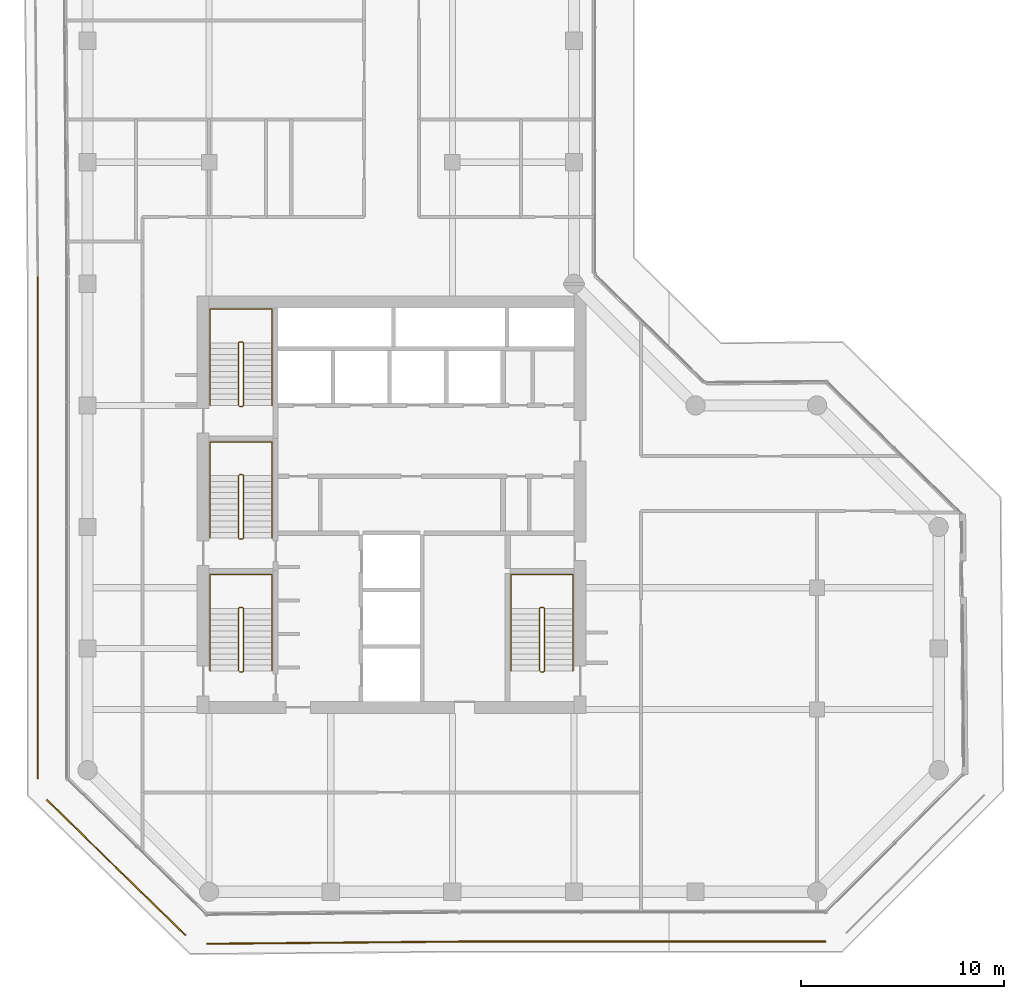
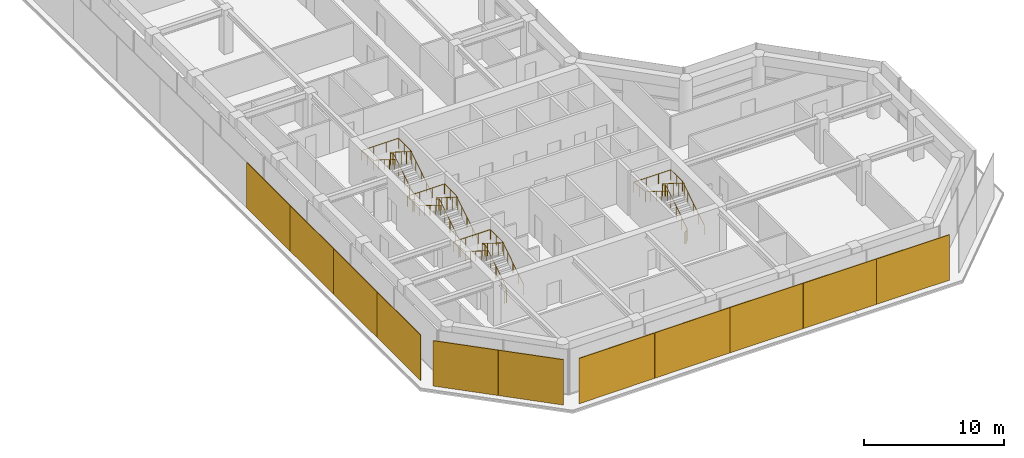
# One storey, part 18 of 19: 11 coverings, 8 railings.
"""IFC4 building model written with IfcOpenShell, lengths in metres."""

import ifcopenshell
import ifcopenshell.guid

model = None  # the IFC model being written
_history = None  # IfcOwnerHistory: only IFC2X3 demands one
_inside = {}  # id of a spatial element -> (the spatial element, [elements in it])
_under = {}  # id of a project, library or spatial element -> (it, [spatial elements below it])
_declared = {}  # id of a project -> (the project, [libraries it declares])
_typed = {}  # id of a type object -> (the type object, [elements of that type])
_made_of = {}  # id of a material, layer set ... -> (it, [elements and type objects made of it])


def new_model(schema):
    """Start an empty IFC model of exactly this schema.

    Asked for "IFC4X3", IfcOpenShell would pick the latest addendum, in which some entities
    have other attributes; the version numbers below select the first issue.
    IFC2X3 requires an IfcOwnerHistory on every rooted entity: one is made here for all.
    """
    global model, _history
    if schema == "IFC4X3":
        model = ifcopenshell.file(schema_version=(4, 3, 0, 0))
    else:
        model = ifcopenshell.file(schema=schema)
    _inside.clear()
    _under.clear()
    _declared.clear()
    _typed.clear()
    _made_of.clear()
    _history = None
    if model.schema == "IFC2X3":
        org = make("IfcOrganization", Name="unknown")
        user = make(
            "IfcPersonAndOrganization",
            ThePerson=make("IfcPerson", FamilyName="unknown"),
            TheOrganization=org,
        )
        app = make(
            "IfcApplication",
            ApplicationDeveloper=org,
            Version="unknown",
            ApplicationFullName="unknown",
            ApplicationIdentifier="unknown",
        )
        _history = make(
            "IfcOwnerHistory",
            OwningUser=user,
            OwningApplication=app,
            ChangeAction="ADDED",
            CreationDate=0,
        )
    return model


def make(cls, **values):
    """One entity of the class cls with the attributes given. An attribute that is None is left unset."""
    return model.create_entity(
        cls, **{name: value for name, value in values.items() if value is not None}
    )


def rooted(cls, **values):
    """An entity with a GlobalId (a new one), such as an element, a storey or a relation."""
    return make(cls, GlobalId=ifcopenshell.guid.new(), OwnerHistory=_history, **values)


def si_unit(unit_type, name, prefix=None):
    """IfcSIUnit, for example si_unit("LENGTHUNIT", "METRE", prefix="MILLI")."""
    return make("IfcSIUnit", UnitType=unit_type, Prefix=prefix, Name=name)


def assignment(units):
    """IfcUnitAssignment: the units of a project."""
    return None if units is None else make("IfcUnitAssignment", Units=units)


def point(xyz):
    """IfcCartesianPoint."""
    return None if xyz is None else make("IfcCartesianPoint", Coordinates=xyz)


def direction(xyz):
    """IfcDirection."""
    return None if xyz is None else make("IfcDirection", DirectionRatios=xyz)


def frame(location, z_axis=None, x_axis=None):
    """IfcAxis2Placement3D, a coordinate frame: its origin and axes. An axis left out is left unset."""
    return make(
        "IfcAxis2Placement3D",
        Location=point(location),
        Axis=direction(z_axis),
        RefDirection=direction(x_axis),
    )


def frame_2d(location, x_axis=None):
    """IfcAxis2Placement2D, a coordinate frame in the plane: its origin and x axis."""
    return make(
        "IfcAxis2Placement2D", Location=point(location), RefDirection=direction(x_axis)
    )


def origin():
    """The frame at (0, 0, 0) with its axes left unset."""
    return frame((0.0, 0.0, 0.0))


def origin_2d():
    """The frame at (0, 0) in the plane with its x axis left unset."""
    return frame_2d((0.0, 0.0))


def place(relative_to, where):
    """IfcLocalPlacement: puts the frame where relative to a parent placement (None: the world)."""
    return make(
        "IfcLocalPlacement", PlacementRelTo=relative_to, RelativePlacement=where
    )


def context(
    kind, dimensions, precision=None, world=None, true_north=None, identifier=None
):
    """IfcGeometricRepresentationContext, for example the 3D "Model" context."""
    return make(
        "IfcGeometricRepresentationContext",
        ContextIdentifier=identifier,
        ContextType=kind,
        CoordinateSpaceDimension=dimensions,
        Precision=precision,
        WorldCoordinateSystem=world,
        TrueNorth=true_north,
    )


def subcontext(parent, identifier, kind, view, scale=None):
    """IfcGeometricRepresentationSubContext, for example "Body" below "Model"."""
    return make(
        "IfcGeometricRepresentationSubContext",
        ContextIdentifier=identifier,
        ContextType=kind,
        ParentContext=parent,
        TargetScale=scale,
        TargetView=view,
    )


def project(units=None, contexts=None):
    """IfcProject with its units and contexts."""
    return rooted(
        "IfcProject",
        Name="project",
        RepresentationContexts=contexts,
        UnitsInContext=assignment(units),
    )


def spatial(cls, under=None, at=None, **own):
    """A site, building, storey or space (cls), placed at a placement, below another one or the project."""
    s = rooted(cls, ObjectPlacement=at, **own)
    if under is not None:
        _under.setdefault(under.id(), (under, []))[1].append(s)
    return s


def profile(cls, at=None, kind="AREA", **sizes):
    """A parametric profile (cls). Its sizes go by their IFC names, for example OverallWidth=200.0."""
    return make(cls, ProfileType=kind, Position=at, **sizes)


def rectangle(**sizes):
    """IfcRectangleProfileDef."""
    return profile("IfcRectangleProfileDef", **sizes)


def circle(**sizes):
    """IfcCircleProfileDef."""
    return profile("IfcCircleProfileDef", **sizes)


def extrude(swept, where, along, depth):
    """IfcExtrudedAreaSolid: the profile swept, set in the frame where, extruded along a direction by depth."""
    return make(
        "IfcExtrudedAreaSolid",
        SweptArea=swept,
        Position=where,
        ExtrudedDirection=direction(along),
        Depth=depth,
    )


def shape(context_of_items, identifier, shape_type, items):
    """IfcShapeRepresentation: the items that make up one representation, for example the "Body"."""
    return make(
        "IfcShapeRepresentation",
        ContextOfItems=context_of_items,
        RepresentationIdentifier=identifier,
        RepresentationType=shape_type,
        Items=items,
    )


def material(Name=None, Category=None):
    """IfcMaterial."""
    return make("IfcMaterial", Name=Name, Category=Category)


def layer(
    of_material, thickness, ventilated=None, Name=None, Category=None, Priority=None
):
    """IfcMaterialLayer: one layer of a wall or slab, of a material (None: an air gap)."""
    return make(
        "IfcMaterialLayer",
        Material=of_material,
        LayerThickness=thickness,
        IsVentilated=ventilated,
        Name=Name,
        Category=Category,
        Priority=Priority,
    )


def layer_set(layers, Name=None):
    """IfcMaterialLayerSet."""
    return make("IfcMaterialLayerSet", MaterialLayers=layers, LayerSetName=Name)


def made_of(thing, what):
    """Note that an element or type object is made of a material, layer set ...; save() writes the relation."""
    if what is not None:
        _made_of.setdefault(what.id(), (what, []))[1].append(thing)
    return thing


def type_object(cls, material=None, **own):
    """A type object (cls), such as IfcWallType, which elements share."""
    return made_of(rooted(cls, **own), material)


def element(
    cls,
    number,
    at=None,
    inside=None,
    cuts=None,
    type_object=None,
    material=None,
    context=None,
    identifier="Body",
    shape_type=None,
    held_by="IfcProductDefinitionShape",
    body=None,
    shapes=None,
    **own,
):
    """One element of the class cls, such as IfcWall. Its Tag is "e" and its number.

    at: its placement. inside: the storey or other place that contains it. cuts: it is an
    opening in that element (IfcRelVoidsElement). A single representation is given by context,
    identifier, shape_type and body (its items); several are given by shapes. held_by: the class
    of the entity that holds the representations. save() writes the other relations.
    """
    e = rooted(cls, Tag="e%d" % number, ObjectPlacement=at, **own)
    if body is not None:
        shapes = [shape(context, identifier, shape_type, body)]
    if shapes is not None:
        e.Representation = make(held_by, Representations=shapes)
    if inside is not None:
        _inside.setdefault(inside.id(), (inside, []))[1].append(e)
    if cuts is not None:
        rooted(
            "IfcRelVoidsElement", RelatingBuildingElement=cuts, RelatedOpeningElement=e
        )
    if type_object is not None:
        _typed.setdefault(type_object.id(), (type_object, []))[1].append(e)
    return made_of(e, material)


def aggregate(whole, parts):
    """IfcRelAggregates: a whole, such as a stair, and the parts it consists of."""
    return rooted("IfcRelAggregates", RelatingObject=whole, RelatedObjects=parts)


def save(model, path):
    """Write the relations noted so far, then the file.

    IfcRelAggregates (storeys below a building ...), IfcRelContainedInSpatialStructure (elements
    in a storey), IfcRelDefinesByType, IfcRelAssociatesMaterial and IfcRelDeclares: one each for
    every whole, place, type object, material and project.
    """
    for whole, parts in _under.values():
        aggregate(whole, parts)
    for where, things in _inside.values():
        rooted(
            "IfcRelContainedInSpatialStructure",
            RelatedElements=things,
            RelatingStructure=where,
        )
    for kind, things in _typed.values():
        rooted("IfcRelDefinesByType", RelatedObjects=things, RelatingType=kind)
    for what, things in _made_of.values():
        rooted("IfcRelAssociatesMaterial", RelatedObjects=things, RelatingMaterial=what)
    for by, libraries in _declared.values():
        rooted("IfcRelDeclares", RelatingContext=by, RelatedDefinitions=libraries)
    model.write(path)


model = new_model("IFC4")

# Units and contexts
model_context = context("Model", 3, precision=1e-05, world=origin(), true_north=direction((0.0, 1.0)))
body_context = subcontext(model_context, "Body", "Model", "MODEL_VIEW")
ifc_project = project(units=[si_unit("LENGTHUNIT", "METRE"), si_unit("AREAUNIT", "SQUARE_METRE"), si_unit("VOLUMEUNIT", "CUBIC_METRE"), si_unit("PLANEANGLEUNIT", "RADIAN"), si_unit("MASSUNIT", "GRAM", prefix="KILO")], contexts=[model_context])

# Site, building, storey
site_placement = place(None, origin())
site = spatial("IfcSite", under=ifc_project, at=site_placement, CompositionType="ELEMENT")
building_placement = place(site_placement, origin())
building = spatial("IfcBuilding", under=site, at=building_placement, Name="Welwitschia Terrace Campus", CompositionType="ELEMENT")
storey_placement = place(building_placement, frame((0.0, 0.0, 171.800048828125)))
storey = spatial("IfcBuildingStorey", under=building, at=storey_placement, Name="L38", CompositionType="ELEMENT", Elevation=171.800048828125)

# Coverings
ifc_material_1 = material(Name="Bronze mesh aluminium screen", Category="aluminium")
ifc_layer = layer(ifc_material_1, 0.06005859375)
ifc_layer_set = layer_set([ifc_layer], Name="Bronze mesh aluminium screen")
covering_type = type_object("IfcCoveringType", Name="Bronze screen 60", PredefinedType="USERDEFINED", material=ifc_layer_set)
for number, where, z_axis, x_axis, name in (
    (1, (-2.4599609375, 23.26611328125, 0.0), (0.0, 0.0, 1.0), (0.0, -1.0, 0.0), "Screen L38.1.0"),
    (2, (-2.4599609375, 17.068115234375, 0.0), (0.0, 0.0, 1.0), (0.0, -1.0, 0.0), "Screen L38.1.1"),
    (3, (-2.4599609375, 10.8701171875, 0.0), (0.0, 0.0, 1.0), (0.0, -1.0, 0.0), "Screen L38.1.2"),
    (4, (-2.4599609375, 4.672119140625, 0.0), (0.0, 0.0, 1.0), (0.0, -1.0, 0.0), "Screen L38.1.3"),
):
    element("IfcCovering", number, at=place(storey_placement, frame(where, z_axis=z_axis, x_axis=x_axis)), inside=storey, type_object=covering_type, Name=name, ObjectType="SCREEN", PredefinedType="USERDEFINED", context=body_context, shape_type="SweptSolid", body=[
        extrude(rectangle(XDim=6.177978515625, YDim=0.06005859375, at=origin_2d()), origin(), (0.0, 0.0, 1.0), 3.949951171875),
    ])
for number, where, z_axis, x_axis, name in (
    (5, (-0.30908203125, -1.12841796875, 0.0), (0.0, 0.0, 1.0), (0.715708164963, -0.698399472083, 0.0), "Screen L38.2.0"),
    (6, (3.130126953125, -4.484619140625, 0.0), (0.0, 0.0, 1.0), (0.715708164963, -0.698399472083, 0.0), "Screen L38.2.1"),
):
    element("IfcCovering", number, at=place(storey_placement, frame(where, z_axis=z_axis, x_axis=x_axis)), inside=storey, type_object=covering_type, Name=name, ObjectType="SCREEN", PredefinedType="USERDEFINED", context=body_context, shape_type="SweptSolid", body=[
        extrude(rectangle(XDim=4.785400390625, YDim=0.06005859375, at=origin_2d()), origin(), (0.0, 0.0, 1.0), 3.949951171875),
    ])
for number, where, z_axis, x_axis, name in (
    (7, (8.98681640625, -6.541748046875, 0.0), (0.0, 0.0, 1.0), (0.999961923064, 0.008726535498, 0.0), "Screen L38.3.0"),
    (8, (15.23828125, -6.4873046875, 0.0), (0.0, 0.0, 1.0), (0.999961923064, 0.008726535498, 0.0), "Screen L38.3.1"),
):
    element("IfcCovering", number, at=place(storey_placement, frame(where, z_axis=z_axis, x_axis=x_axis)), inside=storey, type_object=covering_type, Name=name, ObjectType="SCREEN", PredefinedType="USERDEFINED", context=body_context, shape_type="SweptSolid", body=[
        extrude(rectangle(XDim=6.231689453125, YDim=0.06005859375, at=origin_2d()), origin(), (0.0, 0.0, 1.0), 3.949951171875),
    ])
for number, where, z_axis, x_axis, name in (
    (9, (21.364013671875, -6.4599609375, 0.0), (0.0, 0.0, 1.0), (1.0, 0.0, 0.0), "Screen L38.4.0"),
    (10, (27.388916015625, -6.4599609375, 0.0), (0.0, 0.0, 1.0), (1.0, 0.0, 0.0), "Screen L38.4.1"),
    (11, (33.4140625, -6.4599609375, 0.0), (0.0, 0.0, 1.0), (1.0, 0.0, 0.0), "Screen L38.4.2"),
):
    element("IfcCovering", number, at=place(storey_placement, frame(where, z_axis=z_axis, x_axis=x_axis)), inside=storey, type_object=covering_type, Name=name, ObjectType="SCREEN", PredefinedType="USERDEFINED", context=body_context, shape_type="SweptSolid", body=[
        extrude(rectangle(XDim=6.005126953125, YDim=0.06005859375, at=origin_2d()), origin(), (0.0, 0.0, 1.0), 3.949951171875),
    ])

# Railings
ifc_material_2 = material(Name="Steel S355", Category="steel")
railing_type_1 = type_object("IfcRailingType", Name="Stair guard 1100", PredefinedType="GUARDRAIL", material=ifc_material_2)
railing_1_placement = place(storey_placement, frame((7.5, 6.85009765625, 0.0)))
element("IfcRailing", 12, at=railing_1_placement, inside=storey, type_object=railing_type_1, Name="L38 S1 stair guard", PredefinedType="GUARDRAIL", context=body_context, shape_type="SweptSolid", body=[
    extrude(circle(Radius=0.02392578125, at=origin_2d()), frame((0.0, 0.0, 1.076171875), z_axis=(1.0, 0.0, 0.0), x_axis=(0.0, 1.0, 0.0)), (0.0, 0.0, 1.0), 0.14990234375),
    extrude(circle(Radius=0.02392578125, at=origin_2d()), frame((0.14990234375, 0.0, 1.076171875), z_axis=(0.265155923931, 0.263862480399, 0.927399011991), x_axis=(-0.705375805398, 0.708833529934, 0.0)), (0.0, 0.0, 1.0), 0.188720703125),
    extrude(circle(Radius=0.02392578125, at=origin_2d()), frame((0.199951171875, 0.0498046875, 1.2509765625), z_axis=(0.0, 0.848028513186, 0.529950602248), x_axis=(-1.0, 0.0, 0.0)), (0.0, 0.0, 1.0), 3.632080078125),
    extrude(circle(Radius=0.02392578125, at=origin_2d()), frame((0.199951171875, 3.1298828125, 3.17578125), z_axis=(-0.707106781187, 0.707106781187, 0.0), x_axis=(-0.707106781187, -0.707106781187, 0.0)), (0.0, 0.0, 1.0), 0.07080078125),
    extrude(circle(Radius=0.02392578125, at=origin_2d()), frame((0.14990234375, 3.179931640625, 3.17578125), z_axis=(-1.0, 0.0, 0.0), x_axis=(0.0, -1.0, 0.0)), (0.0, 0.0, 1.0), 0.14990234375),
    extrude(circle(Radius=0.02392578125, at=origin_2d()), frame((0.0, 3.179931640625, 3.17578125), z_axis=(-0.265065253269, -0.265065253269, 0.927081885822), x_axis=(0.707106781187, -0.707106781187, 0.0)), (0.0, 0.0, 1.0), 0.188720703125),
    extrude(circle(Radius=0.02392578125, at=origin_2d()), frame((-0.050048828125, 3.1298828125, 3.35107421875), z_axis=(0.0, -0.847998304005, 0.529998940003), x_axis=(1.0, 0.0, 0.0)), (0.0, 0.0, 1.0), 3.632080078125),
    extrude(circle(Radius=0.02099609375, at=origin_2d()), origin(), (0.0, 0.0, 1.0), 1.052001953125),
    extrude(circle(Radius=0.02099609375, at=origin_2d()), frame((0.14990234375, 0.0, 0.0)), (0.0, 0.0, 1.0), 1.052001953125),
    extrude(circle(Radius=0.02099609375, at=origin_2d()), frame((0.199951171875, 0.0498046875, 0.175048828125)), (0.0, 0.0, 1.0), 1.052001953125),
    extrude(circle(Radius=0.02099609375, at=origin_2d()), frame((0.199951171875, 0.81982421875, 0.65625)), (0.0, 0.0, 1.0), 1.052001953125),
    extrude(circle(Radius=0.02099609375, at=origin_2d()), frame((0.199951171875, 1.58984375, 1.137451171875)), (0.0, 0.0, 1.0), 1.052001953125),
    extrude(circle(Radius=0.02099609375, at=origin_2d()), frame((0.199951171875, 2.35986328125, 1.61865234375)), (0.0, 0.0, 1.0), 1.052001953125),
    extrude(circle(Radius=0.02099609375, at=origin_2d()), frame((0.199951171875, 3.1298828125, 2.099853515625)), (0.0, 0.0, 1.0), 1.052001953125),
    extrude(circle(Radius=0.02099609375, at=origin_2d()), frame((0.14990234375, 3.179931640625, 2.099853515625)), (0.0, 0.0, 1.0), 1.052001953125),
    extrude(circle(Radius=0.02099609375, at=origin_2d()), frame((0.0, 3.179931640625, 2.099853515625)), (0.0, 0.0, 1.0), 1.052001953125),
    extrude(circle(Radius=0.02099609375, at=origin_2d()), frame((-0.050048828125, 3.1298828125, 2.27490234375)), (0.0, 0.0, 1.0), 1.052001953125),
    extrude(circle(Radius=0.02099609375, at=origin_2d()), frame((-0.050048828125, 2.35986328125, 2.756103515625)), (0.0, 0.0, 1.0), 1.052001953125),
    extrude(circle(Radius=0.02099609375, at=origin_2d()), frame((-0.050048828125, 1.58984375, 3.2373046875)), (0.0, 0.0, 1.0), 1.052001953125),
    extrude(circle(Radius=0.02099609375, at=origin_2d()), frame((-0.050048828125, 0.81982421875, 3.71875)), (0.0, 0.0, 1.0), 1.052001953125),
    extrude(circle(Radius=0.02099609375, at=origin_2d()), frame((-0.050048828125, 0.0498046875, 4.199951171875)), (0.0, 0.0, 1.0), 1.052001953125),
])
railing_2_placement = place(storey_placement, frame((7.5, 13.39990234375, 0.0)))
element("IfcRailing", 13, at=railing_2_placement, inside=storey, type_object=railing_type_1, Name="L38 S3 stair guard", PredefinedType="GUARDRAIL", context=body_context, shape_type="SweptSolid", body=[
    extrude(circle(Radius=0.02392578125, at=origin_2d()), frame((0.0, 0.0, 1.076171875), z_axis=(1.0, 0.0, 0.0), x_axis=(0.0, 1.0, 0.0)), (0.0, 0.0, 1.0), 0.14990234375),
    extrude(circle(Radius=0.02392578125, at=origin_2d()), frame((0.14990234375, 0.0, 1.076171875), z_axis=(0.265065253269, 0.265065253269, 0.927081885822), x_axis=(-0.707106781187, 0.707106781187, 0.0)), (0.0, 0.0, 1.0), 0.188720703125),
    extrude(circle(Radius=0.02392578125, at=origin_2d()), frame((0.199951171875, 0.050048828125, 1.2509765625), z_axis=(0.0, 0.848028513186, 0.529950602248), x_axis=(-1.0, 0.0, 0.0)), (0.0, 0.0, 1.0), 3.632080078125),
    extrude(circle(Radius=0.02392578125, at=origin_2d()), frame((0.199951171875, 3.130126953125, 3.17578125), z_axis=(-0.707106781187, 0.707106781187, 0.0), x_axis=(-0.707106781187, -0.707106781187, 0.0)), (0.0, 0.0, 1.0), 0.07080078125),
    extrude(circle(Radius=0.02392578125, at=origin_2d()), frame((0.14990234375, 3.18017578125, 3.17578125), z_axis=(-1.0, 0.0, 0.0), x_axis=(0.0, -1.0, 0.0)), (0.0, 0.0, 1.0), 0.14990234375),
    extrude(circle(Radius=0.02392578125, at=origin_2d()), frame((0.0, 3.18017578125, 3.17578125), z_axis=(-0.265065253269, -0.265065253269, 0.927081885822), x_axis=(0.707106781187, -0.707106781187, 0.0)), (0.0, 0.0, 1.0), 0.188720703125),
    extrude(circle(Radius=0.02392578125, at=origin_2d()), frame((-0.050048828125, 3.130126953125, 3.35107421875), z_axis=(0.0, -0.847998304005, 0.529998940003), x_axis=(1.0, 0.0, 0.0)), (0.0, 0.0, 1.0), 3.632080078125),
    extrude(circle(Radius=0.02099609375, at=origin_2d()), origin(), (0.0, 0.0, 1.0), 1.052001953125),
    extrude(circle(Radius=0.02099609375, at=origin_2d()), frame((0.14990234375, 0.0, 0.0)), (0.0, 0.0, 1.0), 1.052001953125),
    extrude(circle(Radius=0.02099609375, at=origin_2d()), frame((0.199951171875, 0.050048828125, 0.175048828125)), (0.0, 0.0, 1.0), 1.052001953125),
    extrude(circle(Radius=0.02099609375, at=origin_2d()), frame((0.199951171875, 0.820068359375, 0.65625)), (0.0, 0.0, 1.0), 1.052001953125),
    extrude(circle(Radius=0.02099609375, at=origin_2d()), frame((0.199951171875, 1.590087890625, 1.137451171875)), (0.0, 0.0, 1.0), 1.052001953125),
    extrude(circle(Radius=0.02099609375, at=origin_2d()), frame((0.199951171875, 2.360107421875, 1.61865234375)), (0.0, 0.0, 1.0), 1.052001953125),
    extrude(circle(Radius=0.02099609375, at=origin_2d()), frame((0.199951171875, 3.130126953125, 2.099853515625)), (0.0, 0.0, 1.0), 1.052001953125),
    extrude(circle(Radius=0.02099609375, at=origin_2d()), frame((0.14990234375, 3.18017578125, 2.099853515625)), (0.0, 0.0, 1.0), 1.052001953125),
    extrude(circle(Radius=0.02099609375, at=origin_2d()), frame((0.0, 3.18017578125, 2.099853515625)), (0.0, 0.0, 1.0), 1.052001953125),
    extrude(circle(Radius=0.02099609375, at=origin_2d()), frame((-0.050048828125, 3.130126953125, 2.27490234375)), (0.0, 0.0, 1.0), 1.052001953125),
    extrude(circle(Radius=0.02099609375, at=origin_2d()), frame((-0.050048828125, 2.360107421875, 2.756103515625)), (0.0, 0.0, 1.0), 1.052001953125),
    extrude(circle(Radius=0.02099609375, at=origin_2d()), frame((-0.050048828125, 1.590087890625, 3.2373046875)), (0.0, 0.0, 1.0), 1.052001953125),
    extrude(circle(Radius=0.02099609375, at=origin_2d()), frame((-0.050048828125, 0.820068359375, 3.71875)), (0.0, 0.0, 1.0), 1.052001953125),
    extrude(circle(Radius=0.02099609375, at=origin_2d()), frame((-0.050048828125, 0.050048828125, 4.199951171875)), (0.0, 0.0, 1.0), 1.052001953125),
])
railing_3_placement = place(storey_placement, frame((7.5, 19.949951171875, 0.0)))
element("IfcRailing", 14, at=railing_3_placement, inside=storey, type_object=railing_type_1, Name="L38 S4 stair guard", PredefinedType="GUARDRAIL", context=body_context, shape_type="SweptSolid", body=[
    extrude(circle(Radius=0.02392578125, at=origin_2d()), frame((0.0, 0.0, 1.076171875), z_axis=(1.0, 0.0, 0.0), x_axis=(0.0, 1.0, 0.0)), (0.0, 0.0, 1.0), 0.14990234375),
    extrude(circle(Radius=0.02392578125, at=origin_2d()), frame((0.14990234375, 0.0, 1.076171875), z_axis=(0.265065253269, 0.265065253269, 0.927081885822), x_axis=(-0.707106781187, 0.707106781187, 0.0)), (0.0, 0.0, 1.0), 0.188720703125),
    extrude(circle(Radius=0.02392578125, at=origin_2d()), frame((0.199951171875, 0.050048828125, 1.2509765625), z_axis=(0.0, 0.848028513186, 0.529950602248), x_axis=(-1.0, 0.0, 0.0)), (0.0, 0.0, 1.0), 3.632080078125),
    extrude(circle(Radius=0.02392578125, at=origin_2d()), frame((0.199951171875, 3.130126953125, 3.17578125), z_axis=(-0.708833529934, 0.705375805398, 0.0), x_axis=(-0.705375805398, -0.708833529934, 0.0)), (0.0, 0.0, 1.0), 0.070556640625),
    extrude(circle(Radius=0.02392578125, at=origin_2d()), frame((0.14990234375, 3.179931640625, 3.17578125), z_axis=(-1.0, 0.0, 0.0), x_axis=(0.0, -1.0, 0.0)), (0.0, 0.0, 1.0), 0.14990234375),
    extrude(circle(Radius=0.02392578125, at=origin_2d()), frame((0.0, 3.179931640625, 3.17578125), z_axis=(-0.265155923931, -0.263862480399, 0.927399011991), x_axis=(0.705375805398, -0.708833529934, 0.0)), (0.0, 0.0, 1.0), 0.188720703125),
    extrude(circle(Radius=0.02392578125, at=origin_2d()), frame((-0.050048828125, 3.130126953125, 3.35107421875), z_axis=(0.0, -0.847998304005, 0.529998940003), x_axis=(1.0, 0.0, 0.0)), (0.0, 0.0, 1.0), 3.632080078125),
    extrude(circle(Radius=0.02099609375, at=origin_2d()), origin(), (0.0, 0.0, 1.0), 1.052001953125),
    extrude(circle(Radius=0.02099609375, at=origin_2d()), frame((0.14990234375, 0.0, 0.0)), (0.0, 0.0, 1.0), 1.052001953125),
    extrude(circle(Radius=0.02099609375, at=origin_2d()), frame((0.199951171875, 0.050048828125, 0.175048828125)), (0.0, 0.0, 1.0), 1.052001953125),
    extrude(circle(Radius=0.02099609375, at=origin_2d()), frame((0.199951171875, 0.820068359375, 0.65625)), (0.0, 0.0, 1.0), 1.052001953125),
    extrude(circle(Radius=0.02099609375, at=origin_2d()), frame((0.199951171875, 1.590087890625, 1.137451171875)), (0.0, 0.0, 1.0), 1.052001953125),
    extrude(circle(Radius=0.02099609375, at=origin_2d()), frame((0.199951171875, 2.360107421875, 1.61865234375)), (0.0, 0.0, 1.0), 1.052001953125),
    extrude(circle(Radius=0.02099609375, at=origin_2d()), frame((0.199951171875, 3.130126953125, 2.099853515625)), (0.0, 0.0, 1.0), 1.052001953125),
    extrude(circle(Radius=0.02099609375, at=origin_2d()), frame((0.14990234375, 3.179931640625, 2.099853515625)), (0.0, 0.0, 1.0), 1.052001953125),
    extrude(circle(Radius=0.02099609375, at=origin_2d()), frame((0.0, 3.179931640625, 2.099853515625)), (0.0, 0.0, 1.0), 1.052001953125),
    extrude(circle(Radius=0.02099609375, at=origin_2d()), frame((-0.050048828125, 3.130126953125, 2.27490234375)), (0.0, 0.0, 1.0), 1.052001953125),
    extrude(circle(Radius=0.02099609375, at=origin_2d()), frame((-0.050048828125, 2.360107421875, 2.756103515625)), (0.0, 0.0, 1.0), 1.052001953125),
    extrude(circle(Radius=0.02099609375, at=origin_2d()), frame((-0.050048828125, 1.590087890625, 3.2373046875)), (0.0, 0.0, 1.0), 1.052001953125),
    extrude(circle(Radius=0.02099609375, at=origin_2d()), frame((-0.050048828125, 0.820068359375, 3.71875)), (0.0, 0.0, 1.0), 1.052001953125),
    extrude(circle(Radius=0.02099609375, at=origin_2d()), frame((-0.050048828125, 0.050048828125, 4.199951171875)), (0.0, 0.0, 1.0), 1.052001953125),
])
railing_4_placement = place(storey_placement, frame((22.35009765625, 6.85009765625, 0.0)))
element("IfcRailing", 15, at=railing_4_placement, inside=storey, type_object=railing_type_1, Name="L38 S2 stair guard", PredefinedType="GUARDRAIL", context=body_context, shape_type="SweptSolid", body=[
    extrude(circle(Radius=0.02392578125, at=origin_2d()), frame((0.0, 0.0, 1.076171875), z_axis=(1.0, 0.0, 0.0), x_axis=(0.0, 1.0, 0.0)), (0.0, 0.0, 1.0), 0.14990234375),
    extrude(circle(Radius=0.02392578125, at=origin_2d()), frame((0.14990234375, 0.0, 1.076171875), z_axis=(0.265155923931, 0.263862480399, 0.927399011991), x_axis=(-0.705375805398, 0.708833529934, 0.0)), (0.0, 0.0, 1.0), 0.188720703125),
    extrude(circle(Radius=0.02392578125, at=origin_2d()), frame((0.199951171875, 0.0498046875, 1.2509765625), z_axis=(0.0, 0.848028513186, 0.529950602248), x_axis=(-1.0, 0.0, 0.0)), (0.0, 0.0, 1.0), 3.632080078125),
    extrude(circle(Radius=0.02392578125, at=origin_2d()), frame((0.199951171875, 3.1298828125, 3.17578125), z_axis=(-0.707106781187, 0.707106781187, 0.0), x_axis=(-0.707106781187, -0.707106781187, 0.0)), (0.0, 0.0, 1.0), 0.07080078125),
    extrude(circle(Radius=0.02392578125, at=origin_2d()), frame((0.14990234375, 3.179931640625, 3.17578125), z_axis=(-1.0, 0.0, 0.0), x_axis=(0.0, -1.0, 0.0)), (0.0, 0.0, 1.0), 0.14990234375),
    extrude(circle(Radius=0.02392578125, at=origin_2d()), frame((0.0, 3.179931640625, 3.17578125), z_axis=(-0.265065253269, -0.265065253269, 0.927081885822), x_axis=(0.707106781187, -0.707106781187, 0.0)), (0.0, 0.0, 1.0), 0.188720703125),
    extrude(circle(Radius=0.02392578125, at=origin_2d()), frame((-0.050048828125, 3.1298828125, 3.35107421875), z_axis=(0.0, -0.847998304005, 0.529998940003), x_axis=(1.0, 0.0, 0.0)), (0.0, 0.0, 1.0), 3.632080078125),
    extrude(circle(Radius=0.02099609375, at=origin_2d()), origin(), (0.0, 0.0, 1.0), 1.052001953125),
    extrude(circle(Radius=0.02099609375, at=origin_2d()), frame((0.14990234375, 0.0, 0.0)), (0.0, 0.0, 1.0), 1.052001953125),
    extrude(circle(Radius=0.02099609375, at=origin_2d()), frame((0.199951171875, 0.0498046875, 0.175048828125)), (0.0, 0.0, 1.0), 1.052001953125),
    extrude(circle(Radius=0.02099609375, at=origin_2d()), frame((0.199951171875, 0.81982421875, 0.65625)), (0.0, 0.0, 1.0), 1.052001953125),
    extrude(circle(Radius=0.02099609375, at=origin_2d()), frame((0.199951171875, 1.58984375, 1.137451171875)), (0.0, 0.0, 1.0), 1.052001953125),
    extrude(circle(Radius=0.02099609375, at=origin_2d()), frame((0.199951171875, 2.35986328125, 1.61865234375)), (0.0, 0.0, 1.0), 1.052001953125),
    extrude(circle(Radius=0.02099609375, at=origin_2d()), frame((0.199951171875, 3.1298828125, 2.099853515625)), (0.0, 0.0, 1.0), 1.052001953125),
    extrude(circle(Radius=0.02099609375, at=origin_2d()), frame((0.14990234375, 3.179931640625, 2.099853515625)), (0.0, 0.0, 1.0), 1.052001953125),
    extrude(circle(Radius=0.02099609375, at=origin_2d()), frame((0.0, 3.179931640625, 2.099853515625)), (0.0, 0.0, 1.0), 1.052001953125),
    extrude(circle(Radius=0.02099609375, at=origin_2d()), frame((-0.050048828125, 3.1298828125, 2.27490234375)), (0.0, 0.0, 1.0), 1.052001953125),
    extrude(circle(Radius=0.02099609375, at=origin_2d()), frame((-0.050048828125, 2.35986328125, 2.756103515625)), (0.0, 0.0, 1.0), 1.052001953125),
    extrude(circle(Radius=0.02099609375, at=origin_2d()), frame((-0.050048828125, 1.58984375, 3.2373046875)), (0.0, 0.0, 1.0), 1.052001953125),
    extrude(circle(Radius=0.02099609375, at=origin_2d()), frame((-0.050048828125, 0.81982421875, 3.71875)), (0.0, 0.0, 1.0), 1.052001953125),
    extrude(circle(Radius=0.02099609375, at=origin_2d()), frame((-0.050048828125, 0.0498046875, 4.199951171875)), (0.0, 0.0, 1.0), 1.052001953125),
])
ifc_material_3 = material(Name="Steel S355", Category="steel")
railing_type_2 = type_object("IfcRailingType", Name="Stair handrail 900", PredefinedType="HANDRAIL", material=ifc_material_3)
railing_5_placement = place(storey_placement, frame((9.10009765625, 6.89990234375, 0.175048828125)))
element("IfcRailing", 16, at=railing_5_placement, inside=storey, type_object=railing_type_2, Name="L38 S1 stair handrail", PredefinedType="HANDRAIL", context=body_context, shape_type="SweptSolid", body=[
    extrude(circle(Radius=0.02392578125, at=origin_2d()), frame((0.0, 0.0, 0.8759765625), z_axis=(0.0, 0.848028513186, 0.529950602248), x_axis=(-1.0, 0.0, 0.0)), (0.0, 0.0, 1.0), 3.632080078125),
    extrude(circle(Radius=0.02392578125, at=origin_2d()), frame((0.0, 3.080078125, 2.80078125), z_axis=(0.0, 1.0, 0.0), x_axis=(-1.0, 0.0, 0.0)), (0.0, 0.0, 1.0), 1.669921875),
    extrude(circle(Radius=0.02392578125, at=origin_2d()), frame((0.0, 4.75, 2.80078125), z_axis=(-1.0, 0.0, 0.0), x_axis=(0.0, -1.0, 0.0)), (0.0, 0.0, 1.0), 3.050048828125),
    extrude(circle(Radius=0.02392578125, at=origin_2d()), frame((-3.050048828125, 4.75, 2.80078125), z_axis=(0.0, -0.99455077262, 0.104253348533), x_axis=(1.0, 0.0, 0.0)), (0.0, 0.0, 1.0), 1.678955078125),
    extrude(circle(Radius=0.02392578125, at=origin_2d()), frame((-3.050048828125, 3.080078125, 2.9755859375), z_axis=(0.0, -0.847998304005, 0.529998940003), x_axis=(1.0, 0.0, 0.0)), (0.0, 0.0, 1.0), 3.632080078125),
    extrude(circle(Radius=0.02099609375, at=origin_2d()), origin(), (0.0, 0.0, 1.0), 0.851806640625),
    extrude(circle(Radius=0.02099609375, at=origin_2d()), frame((0.0, 0.77001953125, 0.481201171875)), (0.0, 0.0, 1.0), 0.851806640625),
    extrude(circle(Radius=0.02099609375, at=origin_2d()), frame((0.0, 1.5400390625, 0.96240234375)), (0.0, 0.0, 1.0), 0.851806640625),
    extrude(circle(Radius=0.02099609375, at=origin_2d()), frame((0.0, 2.31005859375, 1.443603515625)), (0.0, 0.0, 1.0), 0.851806640625),
    extrude(circle(Radius=0.02099609375, at=origin_2d()), frame((0.0, 3.080078125, 1.9248046875)), (0.0, 0.0, 1.0), 0.851806640625),
    extrude(circle(Radius=0.02099609375, at=origin_2d()), frame((0.0, 3.9150390625, 1.9248046875)), (0.0, 0.0, 1.0), 0.851806640625),
    extrude(circle(Radius=0.02099609375, at=origin_2d()), frame((0.0, 4.75, 1.9248046875)), (0.0, 0.0, 1.0), 0.851806640625),
    extrude(circle(Radius=0.02099609375, at=origin_2d()), frame((-1.0166015625, 4.75, 1.9248046875)), (0.0, 0.0, 1.0), 0.851806640625),
    extrude(circle(Radius=0.02099609375, at=origin_2d()), frame((-2.033447265625, 4.75, 1.9248046875)), (0.0, 0.0, 1.0), 0.851806640625),
    extrude(circle(Radius=0.02099609375, at=origin_2d()), frame((-3.050048828125, 4.75, 1.9248046875)), (0.0, 0.0, 1.0), 0.851806640625),
    extrude(circle(Radius=0.02099609375, at=origin_2d()), frame((-3.050048828125, 3.9150390625, 2.01220703125)), (0.0, 0.0, 1.0), 0.851806640625),
    extrude(circle(Radius=0.02099609375, at=origin_2d()), frame((-3.050048828125, 3.080078125, 2.099853515625)), (0.0, 0.0, 1.0), 0.851806640625),
    extrude(circle(Radius=0.02099609375, at=origin_2d()), frame((-3.050048828125, 2.31005859375, 2.5810546875)), (0.0, 0.0, 1.0), 0.851806640625),
    extrude(circle(Radius=0.02099609375, at=origin_2d()), frame((-3.050048828125, 1.5400390625, 3.0625)), (0.0, 0.0, 1.0), 0.851806640625),
    extrude(circle(Radius=0.02099609375, at=origin_2d()), frame((-3.050048828125, 0.77001953125, 3.543701171875)), (0.0, 0.0, 1.0), 0.851806640625),
    extrude(circle(Radius=0.02099609375, at=origin_2d()), frame((-3.050048828125, 0.0, 4.02490234375)), (0.0, 0.0, 1.0), 0.851806640625),
])
railing_6_placement = place(storey_placement, frame((9.10009765625, 13.449951171875, 0.175048828125)))
element("IfcRailing", 17, at=railing_6_placement, inside=storey, type_object=railing_type_2, Name="L38 S3 stair handrail", PredefinedType="HANDRAIL", context=body_context, shape_type="SweptSolid", body=[
    extrude(circle(Radius=0.02392578125, at=origin_2d()), frame((0.0, 0.0, 0.8759765625), z_axis=(0.0, 0.848028513186, 0.529950602248), x_axis=(-1.0, 0.0, 0.0)), (0.0, 0.0, 1.0), 3.632080078125),
    extrude(circle(Radius=0.02392578125, at=origin_2d()), frame((0.0, 3.080078125, 2.80078125), z_axis=(0.0, 1.0, 0.0), x_axis=(-1.0, 0.0, 0.0)), (0.0, 0.0, 1.0), 1.669921875),
    extrude(circle(Radius=0.02392578125, at=origin_2d()), frame((0.0, 4.75, 2.80078125), z_axis=(-1.0, 0.0, 0.0), x_axis=(0.0, -1.0, 0.0)), (0.0, 0.0, 1.0), 3.050048828125),
    extrude(circle(Radius=0.02392578125, at=origin_2d()), frame((-3.050048828125, 4.75, 2.80078125), z_axis=(0.0, -0.99455077262, 0.104253348533), x_axis=(1.0, 0.0, 0.0)), (0.0, 0.0, 1.0), 1.678955078125),
    extrude(circle(Radius=0.02392578125, at=origin_2d()), frame((-3.050048828125, 3.080078125, 2.9755859375), z_axis=(0.0, -0.847998304005, 0.529998940003), x_axis=(1.0, 0.0, 0.0)), (0.0, 0.0, 1.0), 3.632080078125),
    extrude(circle(Radius=0.02099609375, at=origin_2d()), origin(), (0.0, 0.0, 1.0), 0.851806640625),
    extrude(circle(Radius=0.02099609375, at=origin_2d()), frame((0.0, 0.77001953125, 0.481201171875)), (0.0, 0.0, 1.0), 0.851806640625),
    extrude(circle(Radius=0.02099609375, at=origin_2d()), frame((0.0, 1.5400390625, 0.96240234375)), (0.0, 0.0, 1.0), 0.851806640625),
    extrude(circle(Radius=0.02099609375, at=origin_2d()), frame((0.0, 2.31005859375, 1.443603515625)), (0.0, 0.0, 1.0), 0.851806640625),
    extrude(circle(Radius=0.02099609375, at=origin_2d()), frame((0.0, 3.080078125, 1.9248046875)), (0.0, 0.0, 1.0), 0.851806640625),
    extrude(circle(Radius=0.02099609375, at=origin_2d()), frame((0.0, 3.9150390625, 1.9248046875)), (0.0, 0.0, 1.0), 0.851806640625),
    extrude(circle(Radius=0.02099609375, at=origin_2d()), frame((0.0, 4.75, 1.9248046875)), (0.0, 0.0, 1.0), 0.851806640625),
    extrude(circle(Radius=0.02099609375, at=origin_2d()), frame((-1.0166015625, 4.75, 1.9248046875)), (0.0, 0.0, 1.0), 0.851806640625),
    extrude(circle(Radius=0.02099609375, at=origin_2d()), frame((-2.033447265625, 4.75, 1.9248046875)), (0.0, 0.0, 1.0), 0.851806640625),
    extrude(circle(Radius=0.02099609375, at=origin_2d()), frame((-3.050048828125, 4.75, 1.9248046875)), (0.0, 0.0, 1.0), 0.851806640625),
    extrude(circle(Radius=0.02099609375, at=origin_2d()), frame((-3.050048828125, 3.9150390625, 2.01220703125)), (0.0, 0.0, 1.0), 0.851806640625),
    extrude(circle(Radius=0.02099609375, at=origin_2d()), frame((-3.050048828125, 3.080078125, 2.099853515625)), (0.0, 0.0, 1.0), 0.851806640625),
    extrude(circle(Radius=0.02099609375, at=origin_2d()), frame((-3.050048828125, 2.31005859375, 2.5810546875)), (0.0, 0.0, 1.0), 0.851806640625),
    extrude(circle(Radius=0.02099609375, at=origin_2d()), frame((-3.050048828125, 1.5400390625, 3.0625)), (0.0, 0.0, 1.0), 0.851806640625),
    extrude(circle(Radius=0.02099609375, at=origin_2d()), frame((-3.050048828125, 0.77001953125, 3.543701171875)), (0.0, 0.0, 1.0), 0.851806640625),
    extrude(circle(Radius=0.02099609375, at=origin_2d()), frame((-3.050048828125, 0.0, 4.02490234375)), (0.0, 0.0, 1.0), 0.851806640625),
])
railing_7_placement = place(storey_placement, frame((9.10009765625, 20.0, 0.175048828125)))
element("IfcRailing", 18, at=railing_7_placement, inside=storey, type_object=railing_type_2, Name="L38 S4 stair handrail", PredefinedType="HANDRAIL", context=body_context, shape_type="SweptSolid", body=[
    extrude(circle(Radius=0.02392578125, at=origin_2d()), frame((0.0, 0.0, 0.8759765625), z_axis=(0.0, 0.848028513186, 0.529950602248), x_axis=(-1.0, 0.0, 0.0)), (0.0, 0.0, 1.0), 3.632080078125),
    extrude(circle(Radius=0.02392578125, at=origin_2d()), frame((0.0, 3.080078125, 2.80078125), z_axis=(0.0, 1.0, 0.0), x_axis=(-1.0, 0.0, 0.0)), (0.0, 0.0, 1.0), 1.669921875),
    extrude(circle(Radius=0.02392578125, at=origin_2d()), frame((0.0, 4.75, 2.80078125), z_axis=(-1.0, 0.0, 0.0), x_axis=(0.0, -1.0, 0.0)), (0.0, 0.0, 1.0), 3.050048828125),
    extrude(circle(Radius=0.02392578125, at=origin_2d()), frame((-3.050048828125, 4.75, 2.80078125), z_axis=(0.0, -0.99455077262, 0.104253348533), x_axis=(1.0, 0.0, 0.0)), (0.0, 0.0, 1.0), 1.678955078125),
    extrude(circle(Radius=0.02392578125, at=origin_2d()), frame((-3.050048828125, 3.080078125, 2.9755859375), z_axis=(0.0, -0.847998304005, 0.529998940003), x_axis=(1.0, 0.0, 0.0)), (0.0, 0.0, 1.0), 3.632080078125),
    extrude(circle(Radius=0.02099609375, at=origin_2d()), origin(), (0.0, 0.0, 1.0), 0.851806640625),
    extrude(circle(Radius=0.02099609375, at=origin_2d()), frame((0.0, 0.77001953125, 0.481201171875)), (0.0, 0.0, 1.0), 0.851806640625),
    extrude(circle(Radius=0.02099609375, at=origin_2d()), frame((0.0, 1.5400390625, 0.96240234375)), (0.0, 0.0, 1.0), 0.851806640625),
    extrude(circle(Radius=0.02099609375, at=origin_2d()), frame((0.0, 2.31005859375, 1.443603515625)), (0.0, 0.0, 1.0), 0.851806640625),
    extrude(circle(Radius=0.02099609375, at=origin_2d()), frame((0.0, 3.080078125, 1.9248046875)), (0.0, 0.0, 1.0), 0.851806640625),
    extrude(circle(Radius=0.02099609375, at=origin_2d()), frame((0.0, 3.9150390625, 1.9248046875)), (0.0, 0.0, 1.0), 0.851806640625),
    extrude(circle(Radius=0.02099609375, at=origin_2d()), frame((0.0, 4.75, 1.9248046875)), (0.0, 0.0, 1.0), 0.851806640625),
    extrude(circle(Radius=0.02099609375, at=origin_2d()), frame((-1.0166015625, 4.75, 1.9248046875)), (0.0, 0.0, 1.0), 0.851806640625),
    extrude(circle(Radius=0.02099609375, at=origin_2d()), frame((-2.033447265625, 4.75, 1.9248046875)), (0.0, 0.0, 1.0), 0.851806640625),
    extrude(circle(Radius=0.02099609375, at=origin_2d()), frame((-3.050048828125, 4.75, 1.9248046875)), (0.0, 0.0, 1.0), 0.851806640625),
    extrude(circle(Radius=0.02099609375, at=origin_2d()), frame((-3.050048828125, 3.9150390625, 2.01220703125)), (0.0, 0.0, 1.0), 0.851806640625),
    extrude(circle(Radius=0.02099609375, at=origin_2d()), frame((-3.050048828125, 3.080078125, 2.099853515625)), (0.0, 0.0, 1.0), 0.851806640625),
    extrude(circle(Radius=0.02099609375, at=origin_2d()), frame((-3.050048828125, 2.31005859375, 2.5810546875)), (0.0, 0.0, 1.0), 0.851806640625),
    extrude(circle(Radius=0.02099609375, at=origin_2d()), frame((-3.050048828125, 1.5400390625, 3.0625)), (0.0, 0.0, 1.0), 0.851806640625),
    extrude(circle(Radius=0.02099609375, at=origin_2d()), frame((-3.050048828125, 0.77001953125, 3.543701171875)), (0.0, 0.0, 1.0), 0.851806640625),
    extrude(circle(Radius=0.02099609375, at=origin_2d()), frame((-3.050048828125, 0.0, 4.02490234375)), (0.0, 0.0, 1.0), 0.851806640625),
])
railing_8_placement = place(storey_placement, frame((23.949951171875, 6.89990234375, 0.175048828125)))
element("IfcRailing", 19, at=railing_8_placement, inside=storey, type_object=railing_type_2, Name="L38 S2 stair handrail", PredefinedType="HANDRAIL", context=body_context, shape_type="SweptSolid", body=[
    extrude(circle(Radius=0.02392578125, at=origin_2d()), frame((0.0, 0.0, 0.8759765625), z_axis=(0.0, 0.848028513186, 0.529950602248), x_axis=(-1.0, 0.0, 0.0)), (0.0, 0.0, 1.0), 3.632080078125),
    extrude(circle(Radius=0.02392578125, at=origin_2d()), frame((0.0, 3.080078125, 2.80078125), z_axis=(0.0, 1.0, 0.0), x_axis=(-1.0, 0.0, 0.0)), (0.0, 0.0, 1.0), 1.669921875),
    extrude(circle(Radius=0.02392578125, at=origin_2d()), frame((0.0, 4.75, 2.80078125), z_axis=(-1.0, 0.0, 0.0), x_axis=(0.0, -1.0, 0.0)), (0.0, 0.0, 1.0), 3.050048828125),
    extrude(circle(Radius=0.02392578125, at=origin_2d()), frame((-3.050048828125, 4.75, 2.80078125), z_axis=(0.0, -0.99455077262, 0.104253348533), x_axis=(1.0, 0.0, 0.0)), (0.0, 0.0, 1.0), 1.678955078125),
    extrude(circle(Radius=0.02392578125, at=origin_2d()), frame((-3.050048828125, 3.080078125, 2.9755859375), z_axis=(0.0, -0.847998304005, 0.529998940003), x_axis=(1.0, 0.0, 0.0)), (0.0, 0.0, 1.0), 3.632080078125),
    extrude(circle(Radius=0.02099609375, at=origin_2d()), origin(), (0.0, 0.0, 1.0), 0.851806640625),
    extrude(circle(Radius=0.02099609375, at=origin_2d()), frame((0.0, 0.77001953125, 0.481201171875)), (0.0, 0.0, 1.0), 0.851806640625),
    extrude(circle(Radius=0.02099609375, at=origin_2d()), frame((0.0, 1.5400390625, 0.96240234375)), (0.0, 0.0, 1.0), 0.851806640625),
    extrude(circle(Radius=0.02099609375, at=origin_2d()), frame((0.0, 2.31005859375, 1.443603515625)), (0.0, 0.0, 1.0), 0.851806640625),
    extrude(circle(Radius=0.02099609375, at=origin_2d()), frame((0.0, 3.080078125, 1.9248046875)), (0.0, 0.0, 1.0), 0.851806640625),
    extrude(circle(Radius=0.02099609375, at=origin_2d()), frame((0.0, 3.9150390625, 1.9248046875)), (0.0, 0.0, 1.0), 0.851806640625),
    extrude(circle(Radius=0.02099609375, at=origin_2d()), frame((0.0, 4.75, 1.9248046875)), (0.0, 0.0, 1.0), 0.851806640625),
    extrude(circle(Radius=0.02099609375, at=origin_2d()), frame((-1.0166015625, 4.75, 1.9248046875)), (0.0, 0.0, 1.0), 0.851806640625),
    extrude(circle(Radius=0.02099609375, at=origin_2d()), frame((-2.033447265625, 4.75, 1.9248046875)), (0.0, 0.0, 1.0), 0.851806640625),
    extrude(circle(Radius=0.02099609375, at=origin_2d()), frame((-3.050048828125, 4.75, 1.9248046875)), (0.0, 0.0, 1.0), 0.851806640625),
    extrude(circle(Radius=0.02099609375, at=origin_2d()), frame((-3.050048828125, 3.9150390625, 2.01220703125)), (0.0, 0.0, 1.0), 0.851806640625),
    extrude(circle(Radius=0.02099609375, at=origin_2d()), frame((-3.050048828125, 3.080078125, 2.099853515625)), (0.0, 0.0, 1.0), 0.851806640625),
    extrude(circle(Radius=0.02099609375, at=origin_2d()), frame((-3.050048828125, 2.31005859375, 2.5810546875)), (0.0, 0.0, 1.0), 0.851806640625),
    extrude(circle(Radius=0.02099609375, at=origin_2d()), frame((-3.050048828125, 1.5400390625, 3.0625)), (0.0, 0.0, 1.0), 0.851806640625),
    extrude(circle(Radius=0.02099609375, at=origin_2d()), frame((-3.050048828125, 0.77001953125, 3.543701171875)), (0.0, 0.0, 1.0), 0.851806640625),
    extrude(circle(Radius=0.02099609375, at=origin_2d()), frame((-3.050048828125, 0.0, 4.02490234375)), (0.0, 0.0, 1.0), 0.851806640625),
])

save(model, "model.ifc")
